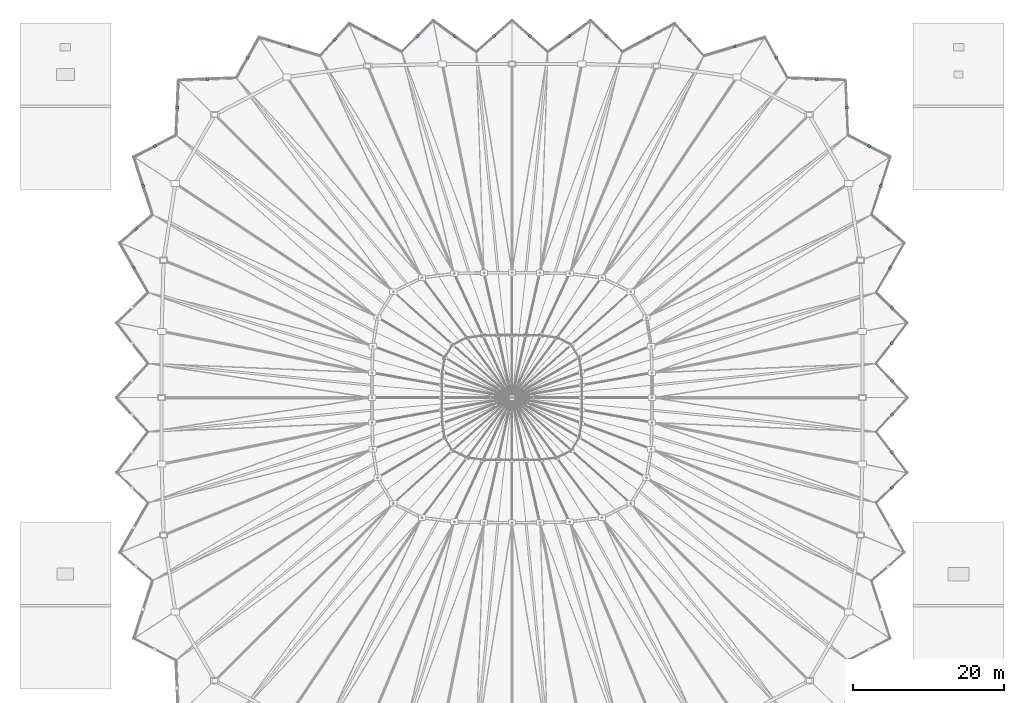
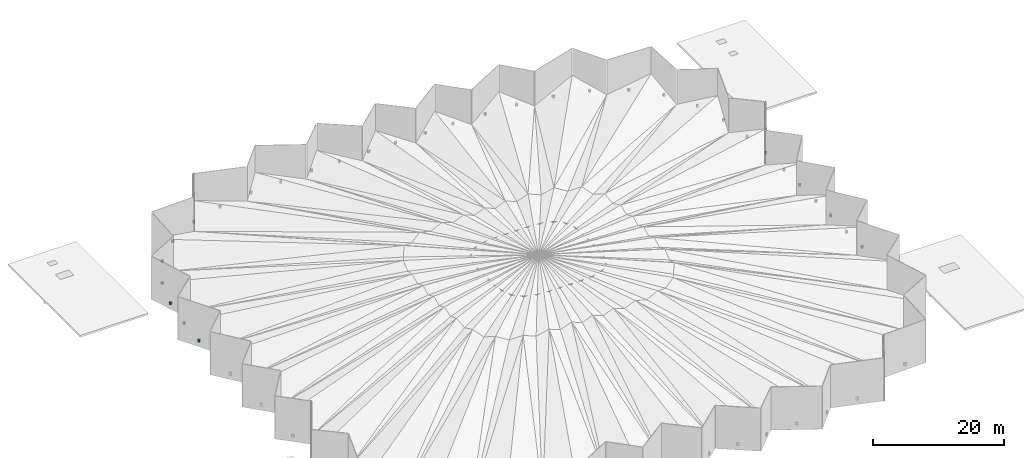
# One storey, part 35 of 41: 32 discrete accessories.
"""IFC4 building model written with IfcOpenShell, lengths in metres."""

from ifc_helpers import new_model, si_unit, direction, frame, origin, origin_2d, place, context, subcontext, project, spatial, rectangle, extrude, material, layer, layer_set, type_object, element, save


model = new_model("IFC4")

# Units and contexts
model_context = context("Model", 3, precision=1e-05, world=origin(), true_north=direction((0.0, 1.0)))
body_context = subcontext(model_context, "Body", "Model", "MODEL_VIEW")
ifc_project = project(units=[si_unit("LENGTHUNIT", "METRE"), si_unit("AREAUNIT", "SQUARE_METRE"), si_unit("VOLUMEUNIT", "CUBIC_METRE"), si_unit("PLANEANGLEUNIT", "RADIAN"), si_unit("MASSUNIT", "GRAM", prefix="KILO")], contexts=[model_context])

# Site, building, storey
site_placement = place(None, origin())
site = spatial("IfcSite", under=ifc_project, at=site_placement, CompositionType="ELEMENT")
building_placement = place(site_placement, origin())
building = spatial("IfcBuilding", under=site, at=building_placement, Name="Luwafu Chhajja Arena", CompositionType="ELEMENT")
storey_placement = place(building_placement, frame((0.0, 0.0, 29.699951171875)))
storey = spatial("IfcBuildingStorey", under=building, at=storey_placement, Name="RF", CompositionType="ELEMENT", Elevation=29.699951171875)

# Discrete accessories
ifc_material = material(Name="Stainless steel bracket", Category="steel")
ifc_layer = layer(ifc_material, 0.179931640625, Name="Stainless steel bracket")
ifc_layer_set = layer_set([ifc_layer], Name="Stainless steel bracket")
discrete_accessory_type = type_object("IfcDiscreteAccessoryType", Name="Stainless Steel Facade Support Bracket", PredefinedType="BRACKET", material=ifc_layer_set)
for number, where, z_axis, x_axis, name in (
    (1, (149.204345703125, 51.755859375, -0.125), (0.0, 0.0, 1.0), (-0.68063108001, 0.732626325574, 0.0), "RF Crown Screen Support Bracket 0001"),
    (2, (149.17919921875, 56.703857421875, -0.125), (0.0, 0.0, 1.0), (0.60965313274, 0.792668315085, 0.0), "RF Crown Screen Support Bracket 0002"),
    (3, (149.176513671875, 61.395263671875, -0.125), (0.0, 0.0, 1.0), (-0.719887976366, 0.694090268974, 0.0), "RF Crown Screen Support Bracket 0003"),
    (4, (148.98291015625, 66.6748046875, -0.125), (0.0, 0.0, 1.0), (0.497200973482, 0.867635402671, 0.0), "RF Crown Screen Support Bracket 0004"),
    (5, (148.68359375, 71.81640625, -0.125), (0.0, 0.0, 1.0), (-0.760438832621, 0.649409564021, 0.0), "RF Crown Screen Support Bracket 0005"),
    (6, (147.749267578125, 77.492919921875, -0.125), (0.0, 0.0, 1.0), (0.310226236034, 0.950662759593, 0.0), "RF Crown Screen Support Bracket 0006"),
    (7, (146.197509765625, 82.75244140625, -0.125), (0.0, 0.0, 1.0), (-0.888491974028, 0.458892157361, 0.0), "RF Crown Screen Support Bracket 0007"),
    (8, (143.2421875, 87.83642578125, -0.125), (0.0, 0.0, 1.0), (-0.043562300264, 0.999050712424, 0.0), "RF Crown Screen Support Bracket 0008"),
    (9, (139.254638671875, 91.61962890625, -0.125), (0.0, 0.0, 1.0), (-0.999297927203, 0.037465353157, 0.0), "RF Crown Screen Support Bracket 0009"),
    (10, (133.9267578125, 94.449462890625, -0.125), (0.0, 0.0, 1.0), (-0.487313131845, 0.873227296603, 0.0), "RF Crown Screen Support Bracket 0010"),
    (11, (128.395751953125, 95.909912109375, -0.125), (0.0, 0.0, 1.0), (-0.9567402425, -0.290943479702, 0.0), "RF Crown Screen Support Bracket 0011"),
    (12, (122.4375, 96.81640625, -0.125), (0.0, 0.0, 1.0), (-0.670358269136, 0.742037594062, 0.0), "RF Crown Screen Support Bracket 0012"),
    (13, (117.038818359375, 97.086181640625, -0.125), (0.0, 0.0, 1.0), (-0.881200624672, -0.472742487067, 0.0), "RF Crown Screen Support Bracket 0013"),
    (14, (111.4892578125, 97.283203125, -0.125), (0.0, 0.0, 1.0), (-0.710108737602, 0.70409202579, 0.0), "RF Crown Screen Support Bracket 0014"),
    (15, (106.570068359375, 97.276611328125, -0.125), (0.0, 0.0, 1.0), (-0.808838836348, -0.588030387663, 0.0), "RF Crown Screen Support Bracket 0015"),
    (16, (101.364013671875, 97.30517578125, -0.125), (0.0, 0.0, 1.0), (-0.748442472682, 0.663199717344, 0.0), "RF Crown Screen Support Bracket 0016"),
    (17, (96.635986328125, 97.30517578125, -0.125), (0.0, 0.0, 1.0), (-0.748442472682, -0.663199717344, 0.0), "RF Crown Screen Support Bracket 0017"),
    (18, (91.429931640625, 97.276611328125, -0.125), (0.0, 0.0, 1.0), (-0.808838836348, 0.588030387663, 0.0), "RF Crown Screen Support Bracket 0018"),
    (19, (86.5107421875, 97.283203125, -0.125), (0.0, 0.0, 1.0), (-0.710108737602, -0.70409202579, 0.0), "RF Crown Screen Support Bracket 0019"),
    (20, (80.961181640625, 97.086181640625, -0.125), (0.0, 0.0, 1.0), (-0.881200624672, 0.472742487067, 0.0), "RF Crown Screen Support Bracket 0020"),
    (21, (75.5625, 96.81640625, -0.125), (0.0, 0.0, 1.0), (-0.670358269136, -0.742037594062, 0.0), "RF Crown Screen Support Bracket 0021"),
    (22, (69.604248046875, 95.909912109375, -0.125), (0.0, 0.0, 1.0), (-0.9567402425, 0.290943479702, 0.0), "RF Crown Screen Support Bracket 0022"),
    (23, (64.0732421875, 94.449462890625, -0.125), (0.0, 0.0, 1.0), (-0.487313131845, -0.873227296603, 0.0), "RF Crown Screen Support Bracket 0023"),
    (24, (58.745361328125, 91.61962890625, -0.125), (0.0, 0.0, 1.0), (-0.999297927203, -0.037465353157, 0.0), "RF Crown Screen Support Bracket 0024"),
    (25, (54.7578125, 87.83642578125, -0.125), (0.0, 0.0, 1.0), (-0.043562300264, -0.999050712424, 0.0), "RF Crown Screen Support Bracket 0025"),
    (26, (51.802490234375, 82.75244140625, -0.125), (0.0, 0.0, 1.0), (-0.888491974028, -0.458892157361, 0.0), "RF Crown Screen Support Bracket 0026"),
    (27, (50.250732421875, 77.492919921875, -0.125), (0.0, 0.0, 1.0), (0.310226236034, -0.950662759593, 0.0), "RF Crown Screen Support Bracket 0027"),
    (28, (49.31640625, 71.81640625, -0.125), (0.0, 0.0, 1.0), (-0.760438832621, -0.649409564021, 0.0), "RF Crown Screen Support Bracket 0028"),
    (29, (49.01708984375, 66.6748046875, -0.125), (0.0, 0.0, 1.0), (0.497200973482, -0.867635402671, 0.0), "RF Crown Screen Support Bracket 0029"),
    (30, (149.176513671875, 37.604736328125, -0.125), (0.0, 0.0, 1.0), (0.719887976366, 0.694090268974, 0.0), "RF Crown Screen Support Bracket 0062"),
    (31, (149.17919921875, 42.296142578125, -0.125), (0.0, 0.0, 1.0), (-0.60965313274, 0.792668315085, 0.0), "RF Crown Screen Support Bracket 0063"),
    (32, (149.204345703125, 47.244140625, -0.125), (0.0, 0.0, 1.0), (0.68063108001, 0.732626325574, 0.0), "RF Crown Screen Support Bracket 0064"),
):
    element("IfcDiscreteAccessory", number, at=place(storey_placement, frame(where, z_axis=z_axis, x_axis=x_axis)), inside=storey, type_object=discrete_accessory_type, Name=name, PredefinedType="BRACKET", context=body_context, shape_type="SweptSolid", body=[
        extrude(rectangle(XDim=0.3798828125, YDim=0.3798828125, at=origin_2d()), origin(), (0.0, 0.0, 1.0), 0.449951171875),
    ])

save(model, "model.ifc")
